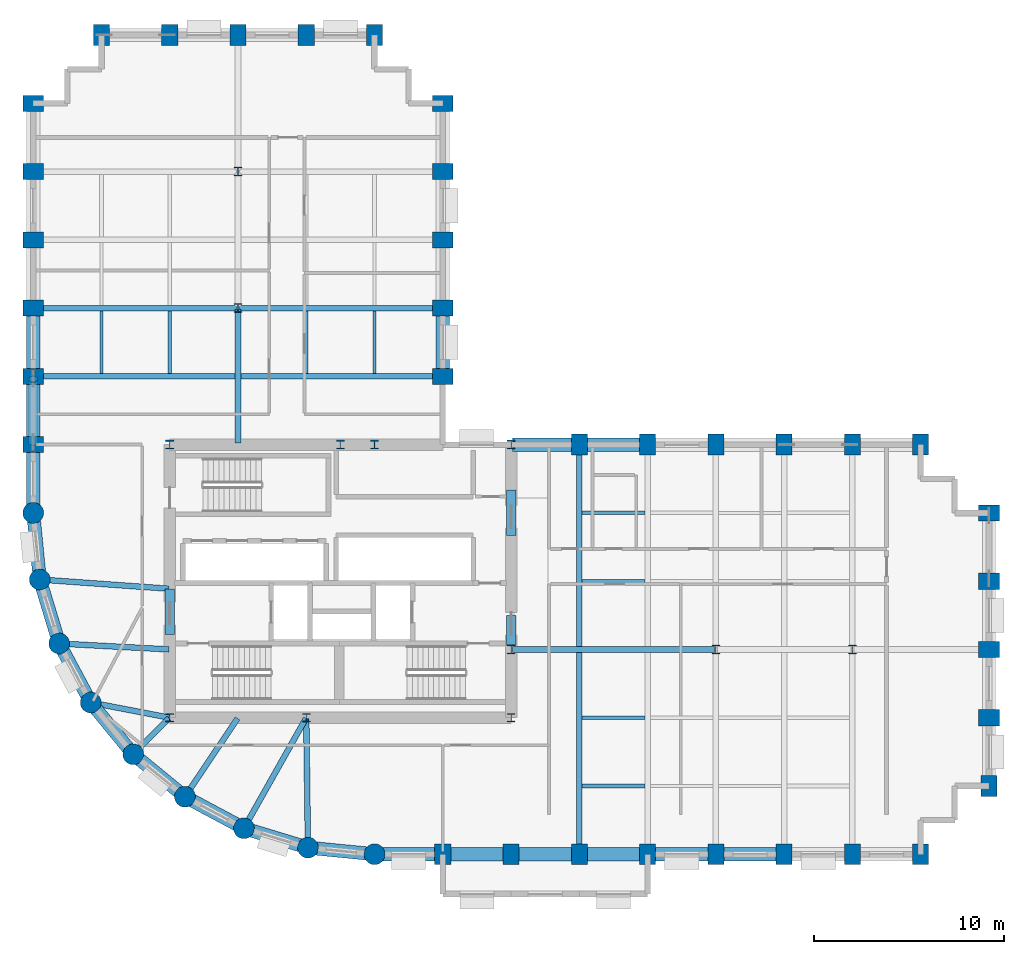
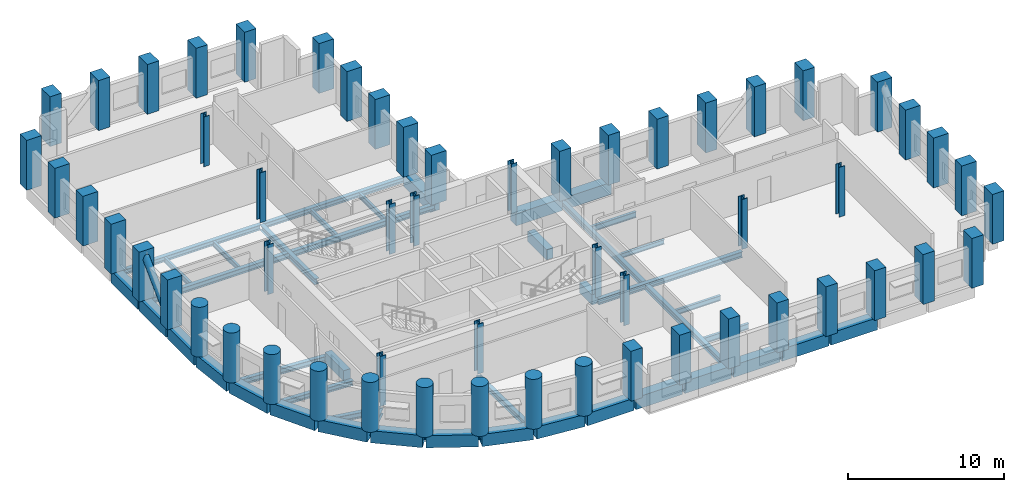
# One storey, part 1 of 10: 56 columns, 44 beams, 1 member.
"""IFC4 building model written with IfcOpenShell, lengths in metres."""

import ifcopenshell
import ifcopenshell.guid

model = None  # the IFC model being written
_history = None  # IfcOwnerHistory: only IFC2X3 demands one
_inside = {}  # id of a spatial element -> (the spatial element, [elements in it])
_under = {}  # id of a project, library or spatial element -> (it, [spatial elements below it])
_declared = {}  # id of a project -> (the project, [libraries it declares])
_typed = {}  # id of a type object -> (the type object, [elements of that type])
_made_of = {}  # id of a material, layer set ... -> (it, [elements and type objects made of it])


def new_model(schema):
    """Start an empty IFC model of exactly this schema.

    Asked for "IFC4X3", IfcOpenShell would pick the latest addendum, in which some entities
    have other attributes; the version numbers below select the first issue.
    IFC2X3 requires an IfcOwnerHistory on every rooted entity: one is made here for all.
    """
    global model, _history
    if schema == "IFC4X3":
        model = ifcopenshell.file(schema_version=(4, 3, 0, 0))
    else:
        model = ifcopenshell.file(schema=schema)
    _inside.clear()
    _under.clear()
    _declared.clear()
    _typed.clear()
    _made_of.clear()
    _history = None
    if model.schema == "IFC2X3":
        org = make("IfcOrganization", Name="unknown")
        user = make(
            "IfcPersonAndOrganization",
            ThePerson=make("IfcPerson", FamilyName="unknown"),
            TheOrganization=org,
        )
        app = make(
            "IfcApplication",
            ApplicationDeveloper=org,
            Version="unknown",
            ApplicationFullName="unknown",
            ApplicationIdentifier="unknown",
        )
        _history = make(
            "IfcOwnerHistory",
            OwningUser=user,
            OwningApplication=app,
            ChangeAction="ADDED",
            CreationDate=0,
        )
    return model


def make(cls, **values):
    """One entity of the class cls with the attributes given. An attribute that is None is left unset."""
    return model.create_entity(
        cls, **{name: value for name, value in values.items() if value is not None}
    )


def rooted(cls, **values):
    """An entity with a GlobalId (a new one), such as an element, a storey or a relation."""
    return make(cls, GlobalId=ifcopenshell.guid.new(), OwnerHistory=_history, **values)


def si_unit(unit_type, name, prefix=None):
    """IfcSIUnit, for example si_unit("LENGTHUNIT", "METRE", prefix="MILLI")."""
    return make("IfcSIUnit", UnitType=unit_type, Prefix=prefix, Name=name)


def assignment(units):
    """IfcUnitAssignment: the units of a project."""
    return None if units is None else make("IfcUnitAssignment", Units=units)


def point(xyz):
    """IfcCartesianPoint."""
    return None if xyz is None else make("IfcCartesianPoint", Coordinates=xyz)


def direction(xyz):
    """IfcDirection."""
    return None if xyz is None else make("IfcDirection", DirectionRatios=xyz)


def frame(location, z_axis=None, x_axis=None):
    """IfcAxis2Placement3D, a coordinate frame: its origin and axes. An axis left out is left unset."""
    return make(
        "IfcAxis2Placement3D",
        Location=point(location),
        Axis=direction(z_axis),
        RefDirection=direction(x_axis),
    )


def frame_2d(location, x_axis=None):
    """IfcAxis2Placement2D, a coordinate frame in the plane: its origin and x axis."""
    return make(
        "IfcAxis2Placement2D", Location=point(location), RefDirection=direction(x_axis)
    )


def origin():
    """The frame at (0, 0, 0) with its axes left unset."""
    return frame((0.0, 0.0, 0.0))


def origin_2d():
    """The frame at (0, 0) in the plane with its x axis left unset."""
    return frame_2d((0.0, 0.0))


def place(relative_to, where):
    """IfcLocalPlacement: puts the frame where relative to a parent placement (None: the world)."""
    return make(
        "IfcLocalPlacement", PlacementRelTo=relative_to, RelativePlacement=where
    )


def context(
    kind, dimensions, precision=None, world=None, true_north=None, identifier=None
):
    """IfcGeometricRepresentationContext, for example the 3D "Model" context."""
    return make(
        "IfcGeometricRepresentationContext",
        ContextIdentifier=identifier,
        ContextType=kind,
        CoordinateSpaceDimension=dimensions,
        Precision=precision,
        WorldCoordinateSystem=world,
        TrueNorth=true_north,
    )


def subcontext(parent, identifier, kind, view, scale=None):
    """IfcGeometricRepresentationSubContext, for example "Body" below "Model"."""
    return make(
        "IfcGeometricRepresentationSubContext",
        ContextIdentifier=identifier,
        ContextType=kind,
        ParentContext=parent,
        TargetScale=scale,
        TargetView=view,
    )


def project(units=None, contexts=None):
    """IfcProject with its units and contexts."""
    return rooted(
        "IfcProject",
        Name="project",
        RepresentationContexts=contexts,
        UnitsInContext=assignment(units),
    )


def spatial(cls, under=None, at=None, **own):
    """A site, building, storey or space (cls), placed at a placement, below another one or the project."""
    s = rooted(cls, ObjectPlacement=at, **own)
    if under is not None:
        _under.setdefault(under.id(), (under, []))[1].append(s)
    return s


def profile(cls, at=None, kind="AREA", **sizes):
    """A parametric profile (cls). Its sizes go by their IFC names, for example OverallWidth=200.0."""
    return make(cls, ProfileType=kind, Position=at, **sizes)


def rectangle(**sizes):
    """IfcRectangleProfileDef."""
    return profile("IfcRectangleProfileDef", **sizes)


def circle(**sizes):
    """IfcCircleProfileDef."""
    return profile("IfcCircleProfileDef", **sizes)


def hollow_circle(**sizes):
    """IfcCircleHollowProfileDef."""
    return profile("IfcCircleHollowProfileDef", **sizes)


def i_section(**sizes):
    """IfcIShapeProfileDef."""
    return profile("IfcIShapeProfileDef", **sizes)


def extrude(swept, where, along, depth):
    """IfcExtrudedAreaSolid: the profile swept, set in the frame where, extruded along a direction by depth."""
    return make(
        "IfcExtrudedAreaSolid",
        SweptArea=swept,
        Position=where,
        ExtrudedDirection=direction(along),
        Depth=depth,
    )


def shape(context_of_items, identifier, shape_type, items):
    """IfcShapeRepresentation: the items that make up one representation, for example the "Body"."""
    return make(
        "IfcShapeRepresentation",
        ContextOfItems=context_of_items,
        RepresentationIdentifier=identifier,
        RepresentationType=shape_type,
        Items=items,
    )


def material(Name=None, Category=None):
    """IfcMaterial."""
    return make("IfcMaterial", Name=Name, Category=Category)


def material_profile(
    of_material, cross_section, Name=None, Category=None, Priority=None
):
    """IfcMaterialProfile: a cross section and its material."""
    return make(
        "IfcMaterialProfile",
        Name=Name,
        Material=of_material,
        Profile=cross_section,
        Priority=Priority,
        Category=Category,
    )


def profile_set(profiles, Name=None, composite=None):
    """IfcMaterialProfileSet."""
    return make(
        "IfcMaterialProfileSet",
        Name=Name,
        MaterialProfiles=profiles,
        CompositeProfile=composite,
    )


def made_of(thing, what):
    """Note that an element or type object is made of a material, layer set ...; save() writes the relation."""
    if what is not None:
        _made_of.setdefault(what.id(), (what, []))[1].append(thing)
    return thing


def type_object(cls, material=None, **own):
    """A type object (cls), such as IfcWallType, which elements share."""
    return made_of(rooted(cls, **own), material)


def element(
    cls,
    number,
    at=None,
    inside=None,
    cuts=None,
    type_object=None,
    material=None,
    context=None,
    identifier="Body",
    shape_type=None,
    held_by="IfcProductDefinitionShape",
    body=None,
    shapes=None,
    **own,
):
    """One element of the class cls, such as IfcWall. Its Tag is "e" and its number.

    at: its placement. inside: the storey or other place that contains it. cuts: it is an
    opening in that element (IfcRelVoidsElement). A single representation is given by context,
    identifier, shape_type and body (its items); several are given by shapes. held_by: the class
    of the entity that holds the representations. save() writes the other relations.
    """
    e = rooted(cls, Tag="e%d" % number, ObjectPlacement=at, **own)
    if body is not None:
        shapes = [shape(context, identifier, shape_type, body)]
    if shapes is not None:
        e.Representation = make(held_by, Representations=shapes)
    if inside is not None:
        _inside.setdefault(inside.id(), (inside, []))[1].append(e)
    if cuts is not None:
        rooted(
            "IfcRelVoidsElement", RelatingBuildingElement=cuts, RelatedOpeningElement=e
        )
    if type_object is not None:
        _typed.setdefault(type_object.id(), (type_object, []))[1].append(e)
    return made_of(e, material)


def aggregate(whole, parts):
    """IfcRelAggregates: a whole, such as a stair, and the parts it consists of."""
    return rooted("IfcRelAggregates", RelatingObject=whole, RelatedObjects=parts)


def save(model, path):
    """Write the relations noted so far, then the file.

    IfcRelAggregates (storeys below a building ...), IfcRelContainedInSpatialStructure (elements
    in a storey), IfcRelDefinesByType, IfcRelAssociatesMaterial and IfcRelDeclares: one each for
    every whole, place, type object, material and project.
    """
    for whole, parts in _under.values():
        aggregate(whole, parts)
    for where, things in _inside.values():
        rooted(
            "IfcRelContainedInSpatialStructure",
            RelatedElements=things,
            RelatingStructure=where,
        )
    for kind, things in _typed.values():
        rooted("IfcRelDefinesByType", RelatedObjects=things, RelatingType=kind)
    for what, things in _made_of.values():
        rooted("IfcRelAssociatesMaterial", RelatedObjects=things, RelatingMaterial=what)
    for by, libraries in _declared.values():
        rooted("IfcRelDeclares", RelatingContext=by, RelatedDefinitions=libraries)
    model.write(path)


model = new_model("IFC4")

# Units and contexts
model_context = context("Model", 3, precision=1e-05, world=origin(), true_north=direction((0.0, 1.0)))
body_context = subcontext(model_context, "Body", "Model", "MODEL_VIEW")
ifc_project = project(units=[si_unit("LENGTHUNIT", "METRE"), si_unit("AREAUNIT", "SQUARE_METRE"), si_unit("VOLUMEUNIT", "CUBIC_METRE"), si_unit("PLANEANGLEUNIT", "RADIAN"), si_unit("MASSUNIT", "GRAM", prefix="KILO")], contexts=[model_context])

# Site, building, storey
site_placement = place(None, origin())
site = spatial("IfcSite", under=ifc_project, at=site_placement, CompositionType="ELEMENT")
building_placement = place(site_placement, origin())
building = spatial("IfcBuilding", under=site, at=building_placement, Name="Solnavia Interchange Tower", CompositionType="ELEMENT")
storey_placement = place(building_placement, frame((0.0, 0.0, 95.699951171875)))
storey = spatial("IfcBuildingStorey", under=building, at=storey_placement, Name="L23", CompositionType="ELEMENT", Elevation=95.699951171875)

# Columns
ifc_material_1 = material(Name="Concrete C50/60", Category="concrete")
ifc_material_profile_1 = material_profile(ifc_material_1, rectangle(XDim=0.85009765625, YDim=1.10009765625, at=origin_2d()), Name="RC 1100x850")
ifc_profile_set_1 = profile_set([ifc_material_profile_1], Name="Concrete C50/60")
column_type_1 = type_object("IfcColumnType", Name="Col-RC-1100x850", PredefinedType="COLUMN", material=ifc_profile_set_1)
for number, where, z_axis, x_axis, name in (
    (1, (7.199951171875, 25.199951171875, 0.0), (0.0, 0.0, 1.0), (0.0, 1.0, 0.0), "COL-L23-02 Tower perim y column"),
    (2, (7.199951171875, 28.800048828125, 0.0), (0.0, 0.0, 1.0), (0.0, 1.0, 0.0), "COL-L23-03 Tower perim y column"),
    (3, (7.199951171875, 32.39990234375, 0.0), (0.0, 0.0, 1.0), (0.0, 1.0, 0.0), "COL-L23-04 Tower perim y column"),
    (4, (7.199951171875, 36.0, 0.0), (0.0, 0.0, 1.0), (0.0, 1.0, 0.0), "COL-L23-05 Tower perim y column"),
    (5, (7.199951171875, 39.60009765625, 0.0), (0.0, 0.0, 1.0), (0.0, 1.0, 0.0), "COL-L23-06 Tower perim y column"),
    (6, (7.199951171875, 43.199951171875, 0.0), (0.0, 0.0, 1.0), (0.0, 1.0, 0.0), "COL-L23-07 Tower corner column"),
    (7, (10.800048828125, 46.800048828125, 0.0), (0.0, 0.0, 1.0), (1.0, 0.0, 0.0), "COL-L23-11 Tower corner column"),
    (8, (14.39990234375, 46.800048828125, 0.0), (0.0, 0.0, 1.0), (1.0, 0.0, 0.0), "COL-L23-15 Tower perim x column"),
    (9, (18.0, 46.800048828125, 0.0), (0.0, 0.0, 1.0), (1.0, 0.0, 0.0), "COL-L23-19 Tower perim x column"),
    (10, (21.60009765625, 46.800048828125, 0.0), (0.0, 0.0, 1.0), (1.0, 0.0, 0.0), "COL-L23-22 Tower perim x column"),
    (11, (25.199951171875, 46.800048828125, 0.0), (0.0, 0.0, 1.0), (1.0, 0.0, 0.0), "COL-L23-27 Tower corner column"),
    (12, (28.800048828125, 3.60009765625, 0.0), (0.0, 0.0, 1.0), (1.0, 0.0, 0.0), "COL-L23-28 Tower perim x column"),
    (13, (28.800048828125, 28.800048828125, 0.0), (0.0, 0.0, 1.0), (0.0, 1.0, 0.0), "COL-L23-29 Tower perim y column"),
    (14, (28.800048828125, 32.39990234375, 0.0), (0.0, 0.0, 1.0), (0.0, 1.0, 0.0), "COL-L23-30 Tower perim y column"),
    (15, (28.800048828125, 36.0, 0.0), (0.0, 0.0, 1.0), (0.0, 1.0, 0.0), "COL-L23-31 Tower perim y column"),
    (16, (28.800048828125, 39.60009765625, 0.0), (0.0, 0.0, 1.0), (0.0, 1.0, 0.0), "COL-L23-32 Tower perim y column"),
    (17, (28.800048828125, 43.199951171875, 0.0), (0.0, 0.0, 1.0), (0.0, 1.0, 0.0), "COL-L23-33 Tower corner column"),
    (18, (32.39990234375, 3.60009765625, 0.0), (0.0, 0.0, 1.0), (1.0, 0.0, 0.0), "COL-L23-34 Tower perim x column"),
    (19, (36.0, 3.60009765625, 0.0), (0.0, 0.0, 1.0), (1.0, 0.0, 0.0), "COL-L23-38 Tower perim x column"),
    (20, (36.0, 25.199951171875, 0.0), (0.0, 0.0, 1.0), (1.0, 0.0, 0.0), "COL-L23-39 Tower perim x column"),
    (21, (39.60009765625, 3.60009765625, 0.0), (0.0, 0.0, 1.0), (1.0, 0.0, 0.0), "COL-L23-40 Tower perim x column"),
    (22, (39.60009765625, 25.199951171875, 0.0), (0.0, 0.0, 1.0), (1.0, 0.0, 0.0), "COL-L23-41 Tower perim x column"),
    (23, (43.199951171875, 3.60009765625, 0.0), (0.0, 0.0, 1.0), (1.0, 0.0, 0.0), "COL-L23-42 Tower perim x column"),
    (24, (43.199951171875, 25.199951171875, 0.0), (0.0, 0.0, 1.0), (1.0, 0.0, 0.0), "COL-L23-44 Tower perim x column"),
    (25, (46.800048828125, 3.60009765625, 0.0), (0.0, 0.0, 1.0), (1.0, 0.0, 0.0), "COL-L23-45 Tower perim x column"),
    (26, (46.800048828125, 25.199951171875, 0.0), (0.0, 0.0, 1.0), (1.0, 0.0, 0.0), "COL-L23-46 Tower perim x column"),
    (27, (50.39990234375, 3.60009765625, 0.0), (0.0, 0.0, 1.0), (1.0, 0.0, 0.0), "COL-L23-47 Tower perim x column"),
    (28, (50.39990234375, 25.199951171875, 0.0), (0.0, 0.0, 1.0), (1.0, 0.0, 0.0), "COL-L23-49 Tower perim x column"),
    (29, (54.0, 3.60009765625, 0.0), (0.0, 0.0, 1.0), (1.0, 0.0, 0.0), "COL-L23-50 Tower corner column"),
    (30, (54.0, 25.199951171875, 0.0), (0.0, 0.0, 1.0), (1.0, 0.0, 0.0), "COL-L23-51 Tower corner column"),
    (31, (57.60009765625, 7.199951171875, 0.0), (0.0, 0.0, 1.0), (1.0, 0.0, 0.0), "COL-L23-52 Tower corner column"),
    (32, (57.60009765625, 10.800048828125, 0.0), (0.0, 0.0, 1.0), (0.0, 1.0, 0.0), "COL-L23-53 Tower perim y column"),
    (33, (57.60009765625, 14.39990234375, 0.0), (0.0, 0.0, 1.0), (0.0, 1.0, 0.0), "COL-L23-54 Tower perim y column"),
    (34, (57.60009765625, 18.0, 0.0), (0.0, 0.0, 1.0), (0.0, 1.0, 0.0), "COL-L23-55 Tower perim y column"),
    (35, (57.60009765625, 21.60009765625, 0.0), (0.0, 0.0, 1.0), (0.0, 1.0, 0.0), "COL-L23-56 Tower corner column"),
):
    element("IfcColumn", number, at=place(storey_placement, frame(where, z_axis=z_axis, x_axis=x_axis)), inside=storey, type_object=column_type_1, Name=name, PredefinedType="COLUMN", context=body_context, shape_type="SweptSolid", body=[
        extrude(rectangle(XDim=0.85009765625, YDim=1.10009765625, at=origin_2d()), origin(), (0.0, 0.0, 1.0), 3.900146484375),
    ])
ifc_material_2 = material(Name="Concrete C60/75", Category="concrete")
ifc_material_profile_2 = material_profile(ifc_material_2, circle(Radius=0.550048828125, at=origin_2d()), Name="RC D1100")
ifc_profile_set_2 = profile_set([ifc_material_profile_2], Name="Concrete C60/75")
column_type_2 = type_object("IfcColumnType", Name="Col-RC-D1100", PredefinedType="COLUMN", material=ifc_profile_set_2)
for number, where, z_axis, x_axis, name in (
    (36, (7.199951171875, 21.60009765625, 0.0), (0.0, 0.0, 1.0), (1.0, 0.0, 0.0), "COL-L23-01 Tower drum column"),
    (37, (7.5458984375, 18.087890625, 0.0), (0.0, 0.0, 1.0), (1.0, 0.0, 0.0), "COL-L23-08 Tower drum column"),
    (38, (8.570068359375, 14.7119140625, 0.0), (0.0, 0.0, 1.0), (1.0, 0.0, 0.0), "COL-L23-09 Tower drum column"),
    (39, (10.23388671875, 11.60009765625, 0.0), (0.0, 0.0, 1.0), (1.0, 0.0, 0.0), "COL-L23-10 Tower drum column"),
    (40, (12.471923828125, 8.8720703125, 0.0), (0.0, 0.0, 1.0), (1.0, 0.0, 0.0), "COL-L23-12 Tower drum column"),
    (41, (15.199951171875, 6.634033203125, 0.0), (0.0, 0.0, 1.0), (1.0, 0.0, 0.0), "COL-L23-16 Tower drum column"),
    (42, (18.31201171875, 4.969970703125, 0.0), (0.0, 0.0, 1.0), (1.0, 0.0, 0.0), "COL-L23-20 Tower drum column"),
    (43, (21.68798828125, 3.946044921875, 0.0), (0.0, 0.0, 1.0), (1.0, 0.0, 0.0), "COL-L23-23 Tower drum column"),
    (44, (25.199951171875, 3.60009765625, 0.0), (0.0, 0.0, 1.0), (1.0, 0.0, 0.0), "COL-L23-25 Tower drum column"),
):
    element("IfcColumn", number, at=place(storey_placement, frame(where, z_axis=z_axis, x_axis=x_axis)), inside=storey, type_object=column_type_2, Name=name, PredefinedType="COLUMN", context=body_context, shape_type="SweptSolid", body=[
        extrude(circle(Radius=0.550048828125, at=origin_2d()), origin(), (0.0, 0.0, 1.0), 3.900146484375),
    ])
ifc_material_3 = material(Name="Steel S355", Category="steel")
ifc_material_profile_3 = material_profile(ifc_material_3, i_section(OverallWidth=0.424072265625, OverallDepth=0.467041015625, WebThickness=0.032958984375, FlangeThickness=0.053466796875, FilletRadius=0.014892578125, at=origin_2d()), Name="HD 400x509")
ifc_profile_set_3 = profile_set([ifc_material_profile_3], Name="Steel S355")
column_type_3 = type_object("IfcColumnType", Name="Col-Steel-HD400x509", PredefinedType="COLUMN", material=ifc_profile_set_3)
for number, where, z_axis, x_axis, name in (
    (45, (14.39990234375, 10.800048828125, 0.0), (0.0, 0.0, 1.0), (1.0, 0.0, 0.0), "COL-L23-13 Tower interior column"),
    (46, (14.39990234375, 25.199951171875, 0.0), (0.0, 0.0, 1.0), (1.0, 0.0, 0.0), "COL-L23-14 Tower interior column"),
    (47, (18.0, 32.39990234375, 0.0), (0.0, 0.0, 1.0), (1.0, 0.0, 0.0), "COL-L23-17 Tower interior column"),
    (48, (18.0, 39.60009765625, 0.0), (0.0, 0.0, 1.0), (1.0, 0.0, 0.0), "COL-L23-18 Tower interior column"),
    (49, (21.60009765625, 10.800048828125, 0.0), (0.0, 0.0, 1.0), (1.0, 0.0, 0.0), "COL-L23-21 Tower interior column"),
    (50, (23.39990234375, 25.199951171875, 0.0), (0.0, 0.0, 1.0), (1.0, 0.0, 0.0), "COL-L23-24 Tower interior column"),
    (51, (25.199951171875, 25.199951171875, 0.0), (0.0, 0.0, 1.0), (1.0, 0.0, 0.0), "COL-L23-26 Tower interior column"),
    (52, (32.39990234375, 10.800048828125, 0.0), (0.0, 0.0, 1.0), (1.0, 0.0, 0.0), "COL-L23-35 Tower interior column"),
    (53, (32.39990234375, 14.39990234375, 0.0), (0.0, 0.0, 1.0), (1.0, 0.0, 0.0), "COL-L23-36 Tower interior column"),
    (54, (32.39990234375, 25.199951171875, 0.0), (0.0, 0.0, 1.0), (1.0, 0.0, 0.0), "COL-L23-37 Tower interior column"),
    (55, (43.199951171875, 14.39990234375, 0.0), (0.0, 0.0, 1.0), (1.0, 0.0, 0.0), "COL-L23-43 Tower interior column"),
    (56, (50.39990234375, 14.39990234375, 0.0), (0.0, 0.0, 1.0), (1.0, 0.0, 0.0), "COL-L23-48 Tower interior column"),
):
    element("IfcColumn", number, at=place(storey_placement, frame(where, z_axis=z_axis, x_axis=x_axis)), inside=storey, type_object=column_type_3, Name=name, PredefinedType="COLUMN", context=body_context, shape_type="SweptSolid", body=[
        extrude(i_section(OverallWidth=0.424072265625, OverallDepth=0.467041015625, WebThickness=0.032958984375, FlangeThickness=0.053466796875, FilletRadius=0.014892578125, at=origin_2d()), origin(), (0.0, 0.0, 1.0), 3.900146484375),
    ])

# Beams
ifc_material_profile_4 = material_profile(ifc_material_1, rectangle(XDim=0.5, YDim=0.800048828125, at=origin_2d()), Name="RC 500x800")
ifc_profile_set_4 = profile_set([ifc_material_profile_4], Name="Concrete C50/60")
beam_type_1 = type_object("IfcBeamType", Name="Beam-Coupling-RC500x800", PredefinedType="LINTEL", material=ifc_profile_set_4)
beam_1_placement = place(storey_placement, frame((14.39990234375, 15.199951171875, -0.39990234375), z_axis=(0.0, 1.0, 0.0), x_axis=(-1.0, 0.0, 0.0)))
element("IfcBeam", 57, at=beam_1_placement, inside=storey, type_object=beam_type_1, Name="CPB-L23-W1 Core coupling lintel beam", PredefinedType="LINTEL", context=body_context, shape_type="SweptSolid", body=[
    extrude(rectangle(XDim=0.5, YDim=0.800048828125, at=origin_2d()), origin(), (0.0, 0.0, 1.0), 2.400146484375),
])
beam_2_placement = place(storey_placement, frame((32.39990234375, 14.60009765625, -0.39990234375), z_axis=(0.0, 1.0, 0.0), x_axis=(-1.0, 0.0, 0.0)))
element("IfcBeam", 58, at=beam_2_placement, inside=storey, type_object=beam_type_1, Name="CPB-L23-E1 Core coupling lintel beam", PredefinedType="LINTEL", context=body_context, shape_type="SweptSolid", body=[
    extrude(rectangle(XDim=0.5, YDim=0.800048828125, at=origin_2d()), origin(), (0.0, 0.0, 1.0), 1.599853515625),
])
beam_3_placement = place(storey_placement, frame((32.39990234375, 20.39990234375, -0.39990234375), z_axis=(0.0, 1.0, 0.0), x_axis=(-1.0, 0.0, 0.0)))
element("IfcBeam", 59, at=beam_3_placement, inside=storey, type_object=beam_type_1, Name="CPB-L23-E2 Core coupling lintel beam", PredefinedType="LINTEL", context=body_context, shape_type="SweptSolid", body=[
    extrude(rectangle(XDim=0.5, YDim=0.800048828125, at=origin_2d()), origin(), (0.0, 0.0, 1.0), 2.400146484375),
])
ifc_material_4 = material(Name="Steel S460", Category="steel")
ifc_material_profile_5 = material_profile(ifc_material_4, i_section(OverallWidth=0.300048828125, OverallDepth=0.449951171875, WebThickness=0.013916015625, FlangeThickness=0.02587890625, FilletRadius=0.027099609375, at=origin_2d()), Name="HEB 450")
ifc_profile_set_5 = profile_set([ifc_material_profile_5], Name="Steel S460")
beam_type_2 = type_object("IfcBeamType", Name="Beam-Girder-HEB450", PredefinedType="BEAM", material=ifc_profile_set_5)
beam_4_placement = place(storey_placement, frame((32.47998046875, 14.39990234375, -0.474853515625), z_axis=(1.0, 0.0, 0.0), x_axis=(0.0, 1.0, 0.0)))
element("IfcBeam", 60, at=beam_4_placement, inside=storey, type_object=beam_type_2, Name="GRD-L23-ES01 East wing spine girder", PredefinedType="BEAM", context=body_context, shape_type="SweptSolid", body=[
    extrude(i_section(OverallWidth=0.300048828125, OverallDepth=0.449951171875, WebThickness=0.013916015625, FlangeThickness=0.02587890625, FilletRadius=0.027099609375, at=origin_2d()), origin(), (0.0, 0.0, 1.0), 10.64013671875),
])
beam_5_placement = place(storey_placement, frame((36.0, 3.679931640625, -0.474853515625), z_axis=(0.0, 1.0, 0.0), x_axis=(-1.0, 0.0, 0.0)))
element("IfcBeam", 61, at=beam_5_placement, inside=storey, type_object=beam_type_2, Name="GRD-L23-EW04 East wing primary floor girder", PredefinedType="BEAM", context=body_context, shape_type="SweptSolid", body=[
    extrude(i_section(OverallWidth=0.300048828125, OverallDepth=0.449951171875, WebThickness=0.013916015625, FlangeThickness=0.02587890625, FilletRadius=0.027099609375, at=origin_2d()), origin(), (0.0, 0.0, 1.0), 21.440185546875),
])
beam_6_placement = place(storey_placement, frame((18.0, 25.280029296875, -0.474853515625), z_axis=(0.0, 1.0, 0.0), x_axis=(-1.0, 0.0, 0.0)))
element("IfcBeam", 62, at=beam_6_placement, inside=storey, type_object=beam_type_2, Name="GRD-L23-NS11 North wing spine girder", PredefinedType="BEAM", context=body_context, shape_type="SweptSolid", body=[
    extrude(i_section(OverallWidth=0.300048828125, OverallDepth=0.449951171875, WebThickness=0.013916015625, FlangeThickness=0.02587890625, FilletRadius=0.027099609375, at=origin_2d()), origin(), (0.0, 0.0, 1.0), 7.0400390625),
])
beam_7_placement = place(storey_placement, frame((10.3125, 11.5849609375, -0.474853515625), z_axis=(0.982057527796, -0.188581579428, 0.0), x_axis=(0.188581579428, 0.982057527796, 0.0)))
element("IfcBeam", 63, at=beam_7_placement, inside=storey, type_object=beam_type_2, Name="GRD-L23-DR22 Drum radial floor girder", PredefinedType="BEAM", context=body_context, shape_type="SweptSolid", body=[
    extrude(i_section(OverallWidth=0.300048828125, OverallDepth=0.449951171875, WebThickness=0.013916015625, FlangeThickness=0.02587890625, FilletRadius=0.027099609375, at=origin_2d()), origin(), (0.0, 0.0, 1.0), 4.1220703125),
])
beam_8_placement = place(storey_placement, frame((18.351318359375, 5.039794921875, -0.474853515625), z_axis=(0.491243158486, 0.871022479182, 0.0), x_axis=(-0.871022479182, 0.491243158486, 0.0)))
element("IfcBeam", 64, at=beam_8_placement, inside=storey, type_object=beam_type_2, Name="GRD-L23-DR25 Drum radial floor girder", PredefinedType="BEAM", context=body_context, shape_type="SweptSolid", body=[
    extrude(i_section(OverallWidth=0.300048828125, OverallDepth=0.449951171875, WebThickness=0.013916015625, FlangeThickness=0.02587890625, FilletRadius=0.027099609375, at=origin_2d()), origin(), (0.0, 0.0, 1.0), 6.5732421875),
])
ifc_material_profile_6 = material_profile(ifc_material_3, i_section(OverallWidth=0.169921875, OverallDepth=0.360107421875, WebThickness=0.008056640625, FlangeThickness=0.0126953125, FilletRadius=0.01806640625, at=origin_2d()), Name="IPE 360")
ifc_profile_set_6 = profile_set([ifc_material_profile_6], Name="Steel S355")
beam_type_3 = type_object("IfcBeamType", Name="Beam-Joist-IPE360", PredefinedType="JOIST", material=ifc_profile_set_6)
beam_9_placement = place(storey_placement, frame((36.14990234375, 18.0, -0.429931640625), z_axis=(1.0, 0.0, 0.0), x_axis=(0.0, 1.0, 0.0)))
element("IfcBeam", 65, at=beam_9_placement, inside=storey, type_object=beam_type_3, Name="JST-L23-E09 East wing secondary joist", PredefinedType="JOIST", context=body_context, shape_type="SweptSolid", body=[
    extrude(i_section(OverallWidth=0.169921875, OverallDepth=0.360107421875, WebThickness=0.008056640625, FlangeThickness=0.0126953125, FilletRadius=0.01806640625, at=origin_2d()), origin(), (0.0, 0.0, 1.0), 3.300048828125),
])
ifc_material_profile_7 = material_profile(ifc_material_3, i_section(OverallWidth=0.179931640625, OverallDepth=0.39990234375, WebThickness=0.008544921875, FlangeThickness=0.013427734375, FilletRadius=0.02099609375, at=origin_2d()), Name="IPE 400")
ifc_profile_set_7 = profile_set([ifc_material_profile_7], Name="Steel S355")
beam_type_4 = type_object("IfcBeamType", Name="Beam-Joist-IPE400", PredefinedType="JOIST", material=ifc_profile_set_7)
for number, where, z_axis, x_axis, name in (
    (66, (36.14990234375, 10.800048828125, -0.449951171875), (1.0, 0.0, 0.0), (0.0, 1.0, 0.0), "JST-L23-E05 East wing secondary joist"),
    (67, (10.800048828125, 28.949951171875, -0.449951171875), (0.0, 1.0, 0.0), (-1.0, 0.0, 0.0), "JST-L23-N17 North wing secondary joist"),
    (68, (14.39990234375, 28.949951171875, -0.449951171875), (0.0, 1.0, 0.0), (-1.0, 0.0, 0.0), "JST-L23-N20 North wing secondary joist"),
    (69, (21.60009765625, 28.949951171875, -0.449951171875), (0.0, 1.0, 0.0), (-1.0, 0.0, 0.0), "JST-L23-N23 North wing secondary joist"),
    (70, (25.199951171875, 28.949951171875, -0.449951171875), (0.0, 1.0, 0.0), (-1.0, 0.0, 0.0), "JST-L23-N26 North wing secondary joist"),
):
    element("IfcBeam", number, at=place(storey_placement, frame(where, z_axis=z_axis, x_axis=x_axis)), inside=storey, type_object=beam_type_4, Name=name, PredefinedType="JOIST", context=body_context, shape_type="SweptSolid", body=[
        extrude(i_section(OverallWidth=0.179931640625, OverallDepth=0.39990234375, WebThickness=0.008544921875, FlangeThickness=0.013427734375, FilletRadius=0.02099609375, at=origin_2d()), origin(), (0.0, 0.0, 1.0), 3.300048828125),
    ])
ifc_material_profile_8 = material_profile(ifc_material_3, i_section(OverallWidth=0.18994140625, OverallDepth=0.449951171875, WebThickness=0.009521484375, FlangeThickness=0.0146484375, FilletRadius=0.02099609375, at=origin_2d()), Name="IPE 450")
ifc_profile_set_8 = profile_set([ifc_material_profile_8], Name="Steel S355")
beam_type_5 = type_object("IfcBeamType", Name="Beam-Joist-IPE450", PredefinedType="JOIST", material=ifc_profile_set_8)
for number, where, z_axis, x_axis, name in (
    (71, (36.14990234375, 7.199951171875, -0.474853515625), (1.0, 0.0, 0.0), (0.0, 1.0, 0.0), "JST-L23-E01 East wing secondary joist"),
    (72, (36.14990234375, 21.60009765625, -0.474853515625), (1.0, 0.0, 0.0), (0.0, 1.0, 0.0), "JST-L23-E13 East wing secondary joist"),
):
    element("IfcBeam", number, at=place(storey_placement, frame(where, z_axis=z_axis, x_axis=x_axis)), inside=storey, type_object=beam_type_5, Name=name, PredefinedType="JOIST", context=body_context, shape_type="SweptSolid", body=[
        extrude(i_section(OverallWidth=0.18994140625, OverallDepth=0.449951171875, WebThickness=0.009521484375, FlangeThickness=0.0146484375, FilletRadius=0.02099609375, at=origin_2d()), origin(), (0.0, 0.0, 1.0), 3.300048828125),
    ])
ifc_material_profile_9 = material_profile(ifc_material_3, i_section(OverallWidth=0.300048828125, OverallDepth=0.389892578125, WebThickness=0.010986328125, FlangeThickness=0.01904296875, FilletRadius=0.027099609375, at=origin_2d()), Name="HEA 400")
ifc_profile_set_9 = profile_set([ifc_material_profile_9], Name="Steel S355")
beam_type_6 = type_object("IfcBeamType", Name="Beam-Primary-HEA400", PredefinedType="BEAM", material=ifc_profile_set_9)
for number, where, z_axis, x_axis, name in (
    (73, (7.280029296875, 32.39990234375, -0.445068359375), (1.0, 0.0, 0.0), (0.0, 1.0, 0.0), "GRD-L23-NW15 North wing primary floor girder"),
    (74, (18.080078125, 32.39990234375, -0.445068359375), (1.0, 0.0, 0.0), (0.0, 1.0, 0.0), "GRD-L23-NW16 North wing primary floor girder"),
):
    element("IfcBeam", number, at=place(storey_placement, frame(where, z_axis=z_axis, x_axis=x_axis)), inside=storey, type_object=beam_type_6, Name=name, PredefinedType="BEAM", context=body_context, shape_type="SweptSolid", body=[
        extrude(i_section(OverallWidth=0.300048828125, OverallDepth=0.389892578125, WebThickness=0.010986328125, FlangeThickness=0.01904296875, FilletRadius=0.027099609375, at=origin_2d()), origin(), (0.0, 0.0, 1.0), 10.639892578125),
    ])
beam_10_placement = place(storey_placement, frame((8.64990234375, 14.707763671875, -0.445068359375), z_axis=(0.998570371303, -0.053452909696, 0.0), x_axis=(0.053452909696, 0.998570371303, 0.0)))
element("IfcBeam", 75, at=beam_10_placement, inside=storey, type_object=beam_type_6, Name="GRD-L23-DR21 Drum radial floor girder", PredefinedType="BEAM", context=body_context, shape_type="SweptSolid", body=[
    extrude(i_section(OverallWidth=0.300048828125, OverallDepth=0.389892578125, WebThickness=0.010986328125, FlangeThickness=0.01904296875, FilletRadius=0.027099609375, at=origin_2d()), origin(), (0.0, 0.0, 1.0), 5.71826171875),
])
beam_11_placement = place(storey_placement, frame((15.24462890625, 6.700439453125, -0.445068359375), z_axis=(0.557835474219, 0.829951555033, 0.0), x_axis=(-0.829951555033, 0.557835474219, 0.0)))
element("IfcBeam", 76, at=beam_11_placement, inside=storey, type_object=beam_type_6, Name="GRD-L23-DR24 Drum radial floor girder", PredefinedType="BEAM", context=body_context, shape_type="SweptSolid", body=[
    extrude(i_section(OverallWidth=0.300048828125, OverallDepth=0.389892578125, WebThickness=0.010986328125, FlangeThickness=0.01904296875, FilletRadius=0.027099609375, at=origin_2d()), origin(), (0.0, 0.0, 1.0), 4.899658203125),
])
ifc_material_profile_10 = material_profile(ifc_material_3, i_section(OverallWidth=0.300048828125, OverallDepth=0.43994140625, WebThickness=0.011474609375, FlangeThickness=0.02099609375, FilletRadius=0.027099609375, at=origin_2d()), Name="HEA 450")
ifc_profile_set_10 = profile_set([ifc_material_profile_10], Name="Steel S355")
beam_type_7 = type_object("IfcBeamType", Name="Beam-Primary-HEA450", PredefinedType="BEAM", material=ifc_profile_set_10)
beam_12_placement = place(storey_placement, frame((7.280029296875, 28.800048828125, -0.469970703125), z_axis=(1.0, 0.0, 0.0), x_axis=(0.0, 1.0, 0.0)))
element("IfcBeam", 77, at=beam_12_placement, inside=storey, type_object=beam_type_7, Name="GRD-L23-NW14 North wing primary floor girder", PredefinedType="BEAM", context=body_context, shape_type="SweptSolid", body=[
    extrude(i_section(OverallWidth=0.300048828125, OverallDepth=0.43994140625, WebThickness=0.011474609375, FlangeThickness=0.02099609375, FilletRadius=0.027099609375, at=origin_2d()), origin(), (0.0, 0.0, 1.0), 21.43994140625),
])
beam_13_placement = place(storey_placement, frame((7.625732421875, 18.082275390625, -0.469970703125), z_axis=(0.99747482749, -0.071020902015, 0.0), x_axis=(0.071020902015, 0.99747482749, 0.0)))
element("IfcBeam", 78, at=beam_13_placement, inside=storey, type_object=beam_type_7, Name="GRD-L23-DR20 Drum radial floor girder", PredefinedType="BEAM", context=body_context, shape_type="SweptSolid", body=[
    extrude(i_section(OverallWidth=0.300048828125, OverallDepth=0.43994140625, WebThickness=0.011474609375, FlangeThickness=0.02099609375, FilletRadius=0.027099609375, at=origin_2d()), origin(), (0.0, 0.0, 1.0), 6.75146484375),
])
beam_14_placement = place(storey_placement, frame((12.528564453125, 8.9287109375, -0.469970703125), z_axis=(0.707106781187, 0.707106781187, 0.0), x_axis=(-0.707106781187, 0.707106781187, 0.0)))
element("IfcBeam", 79, at=beam_14_placement, inside=storey, type_object=beam_type_7, Name="GRD-L23-DR23 Drum radial floor girder", PredefinedType="BEAM", context=body_context, shape_type="SweptSolid", body=[
    extrude(i_section(OverallWidth=0.300048828125, OverallDepth=0.43994140625, WebThickness=0.011474609375, FlangeThickness=0.02099609375, FilletRadius=0.027099609375, at=origin_2d()), origin(), (0.0, 0.0, 1.0), 2.6064453125),
])
beam_15_placement = place(storey_placement, frame((21.68701171875, 4.02587890625, -0.469970703125), z_axis=(-0.01283293513, 0.999917654498, 0.0), x_axis=(-0.999917654498, -0.01283293513, 0.0)))
element("IfcBeam", 80, at=beam_15_placement, inside=storey, type_object=beam_type_7, Name="GRD-L23-DR26 Drum radial floor girder", PredefinedType="BEAM", context=body_context, shape_type="SweptSolid", body=[
    extrude(i_section(OverallWidth=0.300048828125, OverallDepth=0.43994140625, WebThickness=0.011474609375, FlangeThickness=0.02099609375, FilletRadius=0.027099609375, at=origin_2d()), origin(), (0.0, 0.0, 1.0), 6.734619140625),
])
ifc_material_profile_11 = material_profile(ifc_material_1, rectangle(XDim=0.699951171875, YDim=0.949951171875, at=origin_2d()), Name="RC 700x950")
ifc_profile_set_11 = profile_set([ifc_material_profile_11], Name="Concrete C50/60")
beam_type_8 = type_object("IfcBeamType", Name="Beam-Spandrel-RC700x950", PredefinedType="SPANDREL", material=ifc_profile_set_11)
beam_16_placement = place(storey_placement, frame((7.207763671875, 21.5205078125, -0.474853515625), z_axis=(0.098040038117, -0.995182471171, 0.0), x_axis=(0.995182471171, 0.098040038117, 0.0)))
element("IfcBeam", 81, at=beam_16_placement, inside=storey, type_object=beam_type_8, Name="SPB-L23-01 Framed-tube perimeter spandrel beam", PredefinedType="SPANDREL", context=body_context, shape_type="SweptSolid", body=[
    extrude(rectangle(XDim=0.699951171875, YDim=0.949951171875, at=origin_2d()), origin(), (0.0, 0.0, 1.0), 3.369140625),
])
beam_17_placement = place(storey_placement, frame((7.569091796875, 18.011474609375, -0.474853515625), z_axis=(0.290319223646, -0.956929855518, 0.0), x_axis=(0.956929855518, 0.290319223646, 0.0)))
element("IfcBeam", 82, at=beam_17_placement, inside=storey, type_object=beam_type_8, Name="SPB-L23-02 Framed-tube perimeter spandrel beam", PredefinedType="SPANDREL", context=body_context, shape_type="SweptSolid", body=[
    extrude(rectangle(XDim=0.699951171875, YDim=0.949951171875, at=origin_2d()), origin(), (0.0, 0.0, 1.0), 3.367919921875),
])
beam_18_placement = place(storey_placement, frame((8.607666015625, 14.6416015625, -0.474853515625), z_axis=(0.471509422952, -0.881861023102, 0.0), x_axis=(0.881861023102, 0.471509422952, 0.0)))
element("IfcBeam", 83, at=beam_18_placement, inside=storey, type_object=beam_type_8, Name="SPB-L23-03 Framed-tube perimeter spandrel beam", PredefinedType="SPANDREL", context=body_context, shape_type="SweptSolid", body=[
    extrude(rectangle(XDim=0.699951171875, YDim=0.949951171875, at=origin_2d()), origin(), (0.0, 0.0, 1.0), 3.369140625),
])
for number, where, z_axis, x_axis, name in (
    (84, (10.28466796875, 11.5380859375, -0.474853515625), (0.634298841675, -0.773087950656, 0.0), (0.773087950656, 0.634298841675, 0.0), "SPB-L23-04 Framed-tube perimeter spandrel beam"),
    (85, (12.53369140625, 8.8212890625, -0.474853515625), (0.773152644452, -0.634219984214, 0.0), (0.634219984214, 0.773152644452, 0.0), "SPB-L23-05 Framed-tube perimeter spandrel beam"),
):
    element("IfcBeam", number, at=place(storey_placement, frame(where, z_axis=z_axis, x_axis=x_axis)), inside=storey, type_object=beam_type_8, Name=name, PredefinedType="SPANDREL", context=body_context, shape_type="SweptSolid", body=[
        extrude(rectangle(XDim=0.699951171875, YDim=0.949951171875, at=origin_2d()), origin(), (0.0, 0.0, 1.0), 3.36865234375),
    ])
beam_19_placement = place(storey_placement, frame((15.2705078125, 6.59619140625, -0.474853515625), z_axis=(0.881875044348, -0.47148319817, 0.0), x_axis=(0.47148319817, 0.881875044348, 0.0)))
element("IfcBeam", 86, at=beam_19_placement, inside=storey, type_object=beam_type_8, Name="SPB-L23-06 Framed-tube perimeter spandrel beam", PredefinedType="SPANDREL", context=body_context, shape_type="SweptSolid", body=[
    extrude(rectangle(XDim=0.699951171875, YDim=0.949951171875, at=origin_2d()), origin(), (0.0, 0.0, 1.0), 3.368896484375),
])
beam_20_placement = place(storey_placement, frame((18.388671875, 4.94677734375, -0.474853515625), z_axis=(0.956943884494, -0.290272978297, 0.0), x_axis=(0.290272978297, 0.956943884494, 0.0)))
element("IfcBeam", 87, at=beam_20_placement, inside=storey, type_object=beam_type_8, Name="SPB-L23-07 Framed-tube perimeter spandrel beam", PredefinedType="SPANDREL", context=body_context, shape_type="SweptSolid", body=[
    extrude(rectangle(XDim=0.699951171875, YDim=0.949951171875, at=origin_2d()), origin(), (0.0, 0.0, 1.0), 3.36767578125),
])
beam_21_placement = place(storey_placement, frame((21.767578125, 3.938232421875, -0.474853515625), z_axis=(0.995181774609, -0.098047108501, 0.0), x_axis=(0.098047108501, 0.995181774609, 0.0)))
element("IfcBeam", 88, at=beam_21_placement, inside=storey, type_object=beam_type_8, Name="SPB-L23-08 Framed-tube perimeter spandrel beam", PredefinedType="SPANDREL", context=body_context, shape_type="SweptSolid", body=[
    extrude(rectangle(XDim=0.699951171875, YDim=0.949951171875, at=origin_2d()), origin(), (0.0, 0.0, 1.0), 3.368896484375),
])
beam_22_placement = place(storey_placement, frame((25.280029296875, 3.60009765625, -0.474853515625), z_axis=(1.0, 0.0, 0.0), x_axis=(0.0, 1.0, 0.0)))
element("IfcBeam", 89, at=beam_22_placement, inside=storey, type_object=beam_type_8, Name="SPB-L23-09 Framed-tube perimeter spandrel beam", PredefinedType="SPANDREL", context=body_context, shape_type="SweptSolid", body=[
    extrude(rectangle(XDim=0.699951171875, YDim=0.949951171875, at=origin_2d()), origin(), (0.0, 0.0, 1.0), 3.43994140625),
])
beam_23_placement = place(storey_placement, frame((28.8798828125, 3.60009765625, -0.474853515625), z_axis=(1.0, 0.0, 0.0), x_axis=(0.0, 1.0, 0.0)))
element("IfcBeam", 90, at=beam_23_placement, inside=storey, type_object=beam_type_8, Name="SPB-L23-10 Framed-tube perimeter spandrel beam", PredefinedType="SPANDREL", context=body_context, shape_type="SweptSolid", body=[
    extrude(rectangle(XDim=0.699951171875, YDim=0.949951171875, at=origin_2d()), origin(), (0.0, 0.0, 1.0), 3.440185546875),
])
for number, where, z_axis, x_axis, name in (
    (91, (32.47998046875, 3.60009765625, -0.474853515625), (1.0, 0.0, 0.0), (0.0, 1.0, 0.0), "SPB-L23-11 Framed-tube perimeter spandrel beam"),
    (92, (36.080078125, 3.60009765625, -0.474853515625), (1.0, 0.0, 0.0), (0.0, 1.0, 0.0), "SPB-L23-12 Framed-tube perimeter spandrel beam"),
):
    element("IfcBeam", number, at=place(storey_placement, frame(where, z_axis=z_axis, x_axis=x_axis)), inside=storey, type_object=beam_type_8, Name=name, PredefinedType="SPANDREL", context=body_context, shape_type="SweptSolid", body=[
        extrude(rectangle(XDim=0.699951171875, YDim=0.949951171875, at=origin_2d()), origin(), (0.0, 0.0, 1.0), 3.43994140625),
    ])
beam_24_placement = place(storey_placement, frame((39.679931640625, 3.60009765625, -0.474853515625), z_axis=(1.0, 0.0, 0.0), x_axis=(0.0, 1.0, 0.0)))
element("IfcBeam", 93, at=beam_24_placement, inside=storey, type_object=beam_type_8, Name="SPB-L23-13 Framed-tube perimeter spandrel beam", PredefinedType="SPANDREL", context=body_context, shape_type="SweptSolid", body=[
    extrude(rectangle(XDim=0.699951171875, YDim=0.949951171875, at=origin_2d()), origin(), (0.0, 0.0, 1.0), 3.440185546875),
])
for number, where, z_axis, x_axis, name in (
    (94, (43.280029296875, 3.60009765625, -0.474853515625), (1.0, 0.0, 0.0), (0.0, 1.0, 0.0), "SPB-L23-14 Framed-tube perimeter spandrel beam"),
    (95, (39.52001953125, 25.199951171875, -0.474853515625), (-1.0, 0.0, 0.0), (0.0, -1.0, 0.0), "SPB-L23-25 Framed-tube perimeter spandrel beam"),
    (96, (35.919921875, 25.199951171875, -0.474853515625), (-1.0, 0.0, 0.0), (0.0, -1.0, 0.0), "SPB-L23-26 Framed-tube perimeter spandrel beam"),
):
    element("IfcBeam", number, at=place(storey_placement, frame(where, z_axis=z_axis, x_axis=x_axis)), inside=storey, type_object=beam_type_8, Name=name, PredefinedType="SPANDREL", context=body_context, shape_type="SweptSolid", body=[
        extrude(rectangle(XDim=0.699951171875, YDim=0.949951171875, at=origin_2d()), origin(), (0.0, 0.0, 1.0), 3.43994140625),
    ])
for number, where, z_axis, x_axis, name in (
    (97, (28.800048828125, 28.8798828125, -0.474853515625), (0.0, 1.0, 0.0), (-1.0, 0.0, 0.0), "SPB-L23-27 Framed-tube perimeter spandrel beam"),
    (98, (7.199951171875, 32.320068359375, -0.474853515625), (0.0, -1.0, 0.0), (1.0, 0.0, 0.0), "SPB-L23-38 Framed-tube perimeter spandrel beam"),
):
    element("IfcBeam", number, at=place(storey_placement, frame(where, z_axis=z_axis, x_axis=x_axis)), inside=storey, type_object=beam_type_8, Name=name, PredefinedType="SPANDREL", context=body_context, shape_type="SweptSolid", body=[
        extrude(rectangle(XDim=0.699951171875, YDim=0.949951171875, at=origin_2d()), origin(), (0.0, 0.0, 1.0), 3.440185546875),
    ])
beam_25_placement = place(storey_placement, frame((7.199951171875, 28.719970703125, -0.474853515625), z_axis=(0.0, -1.0, 0.0), x_axis=(1.0, 0.0, 0.0)))
element("IfcBeam", 99, at=beam_25_placement, inside=storey, type_object=beam_type_8, Name="SPB-L23-39 Framed-tube perimeter spandrel beam", PredefinedType="SPANDREL", context=body_context, shape_type="SweptSolid", body=[
    extrude(rectangle(XDim=0.699951171875, YDim=0.949951171875, at=origin_2d()), origin(), (0.0, 0.0, 1.0), 3.43994140625),
])
beam_26_placement = place(storey_placement, frame((7.199951171875, 25.1201171875, -0.474853515625), z_axis=(0.0, -1.0, 0.0), x_axis=(1.0, 0.0, 0.0)))
element("IfcBeam", 100, at=beam_26_placement, inside=storey, type_object=beam_type_8, Name="SPB-L23-40 Framed-tube perimeter spandrel beam", PredefinedType="SPANDREL", context=body_context, shape_type="SweptSolid", body=[
    extrude(rectangle(XDim=0.699951171875, YDim=0.949951171875, at=origin_2d()), origin(), (0.0, 0.0, 1.0), 3.440185546875),
])

# Member
ifc_material_profile_12 = material_profile(ifc_material_4, hollow_circle(Radius=0.25390625, WallThickness=0.02490234375, at=origin_2d()), Name="CHS 508x25")
ifc_profile_set_12 = profile_set([ifc_material_profile_12], Name="Steel S460")
member_type = type_object("IfcMemberType", Name="Brace-Perim-CHS508", PredefinedType="BRACE", material=ifc_profile_set_12)
member_placement = place(storey_placement, frame((7.199951171875, 25.340087890625, 0.179931640625), z_axis=(0.0, 0.710285911997, 0.703913292401), x_axis=(-1.0, 0.0, 0.0)))
element("IfcMember", 101, at=member_placement, inside=storey, type_object=member_type, Name="BRC-L23-01 Perimeter tube diagonal brace", PredefinedType="BRACE", context=body_context, shape_type="SweptSolid", body=[
    extrude(hollow_circle(Radius=0.25390625, WallThickness=0.02490234375, at=origin_2d()), origin(), (0.0, 0.0, 1.0), 4.673828125),
])

save(model, "model.ifc")
